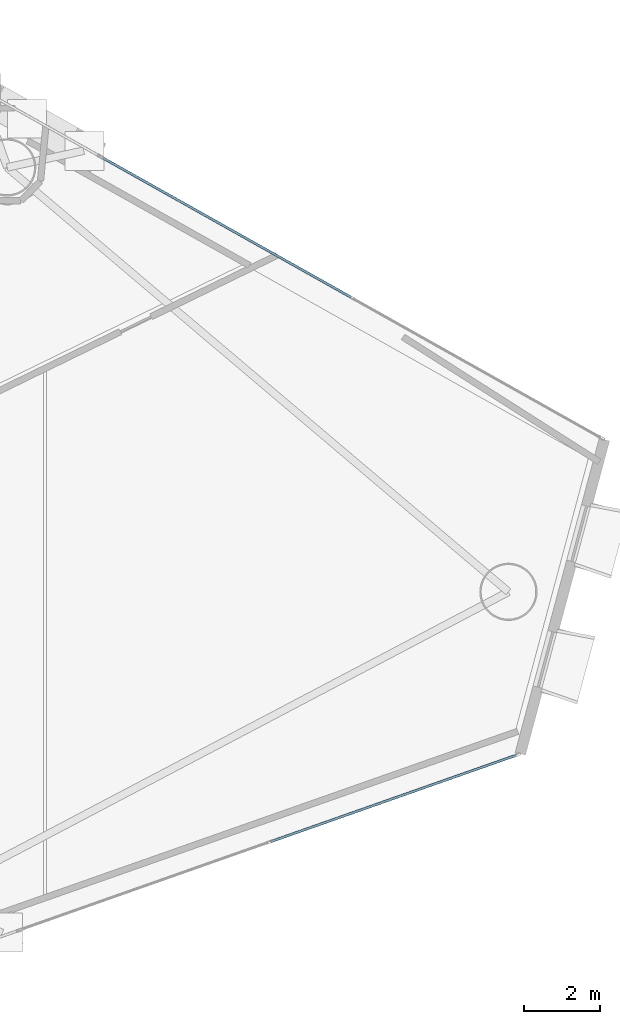
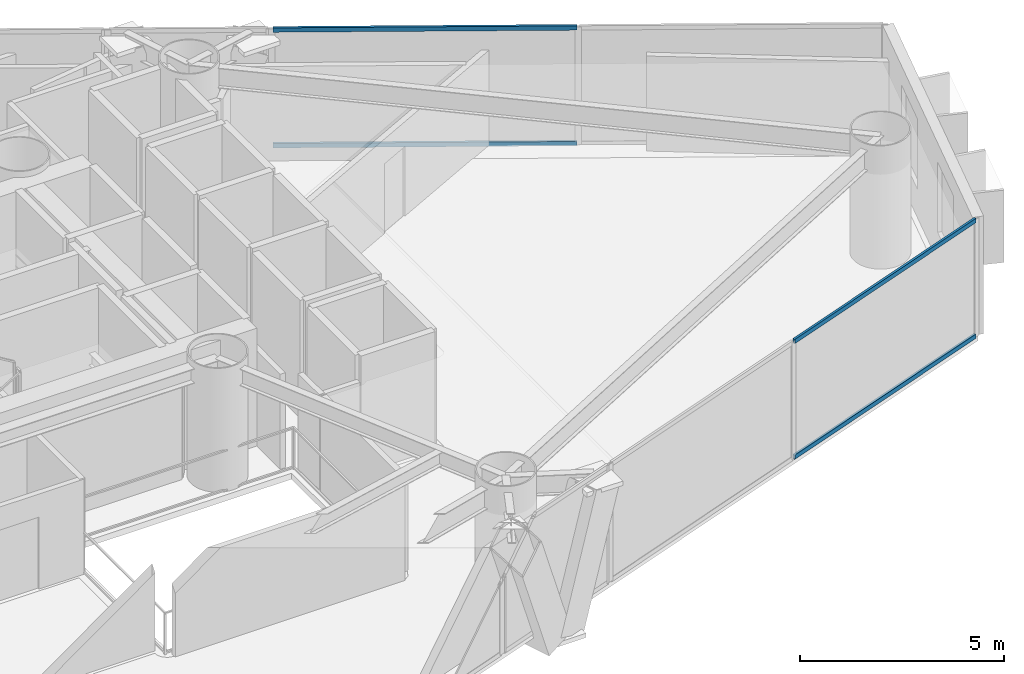
# One storey, part 11 of 19: 4 members, 2 elements without a shape of their own.
"""IFC4 building model written with IfcOpenShell, lengths in metres."""

from ifc_helpers import new_model, si_unit, direction, frame, origin, origin_2d, place, context, subcontext, project, spatial, hollow_rectangle, extrude, material, layer, layer_set, material_profile, profile_set, type_object, element, aggregate, save


model = new_model("IFC4")

# Units and contexts
model_context = context("Model", 3, precision=1e-05, world=origin(), true_north=direction((0.0, 1.0)))
body_context = subcontext(model_context, "Body", "Model", "MODEL_VIEW")
ifc_project = project(units=[si_unit("LENGTHUNIT", "METRE"), si_unit("AREAUNIT", "SQUARE_METRE"), si_unit("VOLUMEUNIT", "CUBIC_METRE"), si_unit("PLANEANGLEUNIT", "RADIAN"), si_unit("MASSUNIT", "GRAM", prefix="KILO")], contexts=[model_context])

# Site, building, storey
site_placement = place(None, origin())
site = spatial("IfcSite", under=ifc_project, at=site_placement, CompositionType="ELEMENT")
building_placement = place(site_placement, origin())
building = spatial("IfcBuilding", under=site, at=building_placement, Name="Qianvela Tower", CompositionType="ELEMENT")
storey_placement = place(building_placement, frame((0.0, 0.0, 123.699951171875)))
storey = spatial("IfcBuildingStorey", under=building, at=storey_placement, Name="L31", CompositionType="ELEMENT", Elevation=123.699951171875)

# Curtain wall, members
ifc_material_1 = material(Name="Anodised Architectural Aluminium and Low-E Glass", Category="aluminium")
ifc_layer = layer(ifc_material_1, 0.169921875)
ifc_layer_set = layer_set([ifc_layer], Name="Anodised Architectural Aluminium and Low-E Glass")
curtain_wall_type = type_object("IfcCurtainWallType", Name="CW-COLIV-Z34", PredefinedType="USERDEFINED", material=ifc_layer_set)
curtain_wall_1_placement = place(storey_placement, origin())
curtain_wall_1 = element("IfcCurtainWall", 1, at=curtain_wall_1_placement, inside=storey, type_object=curtain_wall_type, Name="L31 CW-COLIV-Z34 Curtain Wall 02A", ObjectType="CURTAIN_WALL_SYSTEM", PredefinedType="USERDEFINED")
ifc_material_2 = material(Name="Anodised Architectural Aluminium 6063-T6", Category="aluminium")
ifc_material_profile = material_profile(ifc_material_2, hollow_rectangle(XDim=0.06494140625, YDim=0.1298828125, WallThickness=0.00439453125, at=origin_2d()), Name="ALU-TRAN-65x130")
ifc_profile_set = profile_set([ifc_material_profile], Name="Anodised Architectural Aluminium 6063-T6")
member_type = type_object("IfcMemberType", Name="CW-COLIV-Z34-TRAN", PredefinedType="USERDEFINED", material=ifc_profile_set)
member_1_placement = place(storey_placement, frame((53.070068359375, 31.671630859375, 0.032470703125), z_axis=(-0.871970009534, 0.489559294134, 0.0), x_axis=(-0.489559294134, -0.871970009534, 0.0)))
member_1 = element("IfcMember", 2, at=member_1_placement, type_object=member_type, Name="CW-4 transom 2.1", ObjectType="TRANSOM", PredefinedType="USERDEFINED", context=body_context, shape_type="SweptSolid", body=[
    extrude(hollow_rectangle(XDim=0.06494140625, YDim=0.1298828125, WallThickness=0.00439453125, at=origin_2d()), origin(), (0.0, 0.0, 1.0), 7.4326171875),
])
member_2_placement = place(storey_placement, frame((53.070068359375, 31.671630859375, 3.487548828125), z_axis=(-0.871970009534, 0.489559294134, 0.0), x_axis=(-0.489559294134, -0.871970009534, 0.0)))
member_2 = element("IfcMember", 3, at=member_2_placement, type_object=member_type, Name="CW-4 transom 2.2", ObjectType="TRANSOM", PredefinedType="USERDEFINED", context=body_context, shape_type="SweptSolid", body=[
    extrude(hollow_rectangle(XDim=0.06494140625, YDim=0.1298828125, WallThickness=0.00439453125, at=origin_2d()), origin(), (0.0, 0.0, 1.0), 7.4326171875),
])
aggregate(curtain_wall_1, [member_1, member_2])

curtain_wall_2_placement = place(storey_placement, origin())
curtain_wall_2 = element("IfcCurtainWall", 4, at=curtain_wall_2_placement, inside=storey, type_object=curtain_wall_type, Name="L31 CW-COLIV-Z34 Curtain Wall 06C", ObjectType="CURTAIN_WALL_SYSTEM", PredefinedType="USERDEFINED")
member_3_placement = place(storey_placement, frame((50.96875, 17.4169921875, 0.032470703125), z_axis=(0.943259834345, 0.33205554492, 0.0), x_axis=(-0.33205554492, 0.943259834345, 0.0)))
member_3 = element("IfcMember", 5, at=member_3_placement, type_object=member_type, Name="CW-4 transom 2.1", ObjectType="TRANSOM", PredefinedType="USERDEFINED", context=body_context, shape_type="SweptSolid", body=[
    extrude(hollow_rectangle(XDim=0.06494140625, YDim=0.1298828125, WallThickness=0.00439453125, at=origin_2d()), origin(), (0.0, 0.0, 1.0), 6.815673828125),
])
member_4_placement = place(storey_placement, frame((50.96875, 17.4169921875, 3.487548828125), z_axis=(0.943259834345, 0.33205554492, 0.0), x_axis=(-0.33205554492, 0.943259834345, 0.0)))
member_4 = element("IfcMember", 6, at=member_4_placement, type_object=member_type, Name="CW-4 transom 2.2", ObjectType="TRANSOM", PredefinedType="USERDEFINED", context=body_context, shape_type="SweptSolid", body=[
    extrude(hollow_rectangle(XDim=0.06494140625, YDim=0.1298828125, WallThickness=0.00439453125, at=origin_2d()), origin(), (0.0, 0.0, 1.0), 6.815673828125),
])
aggregate(curtain_wall_2, [member_3, member_4])

save(model, "model.ifc")
